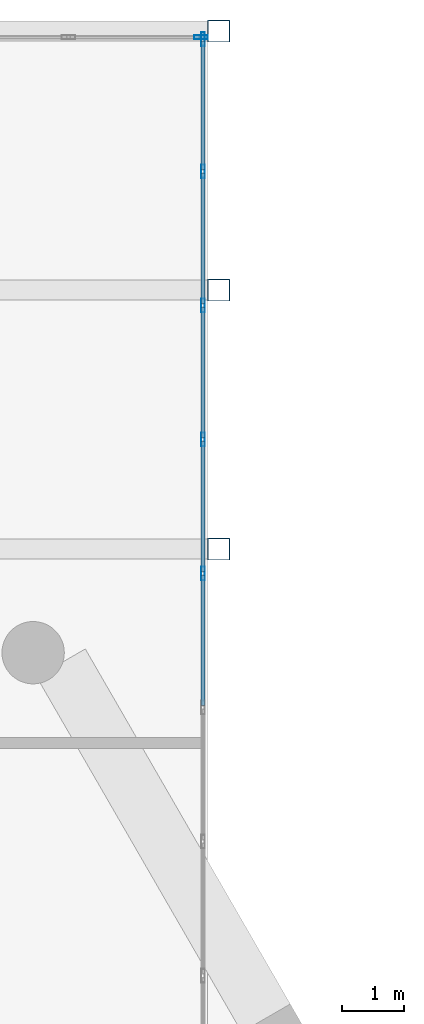
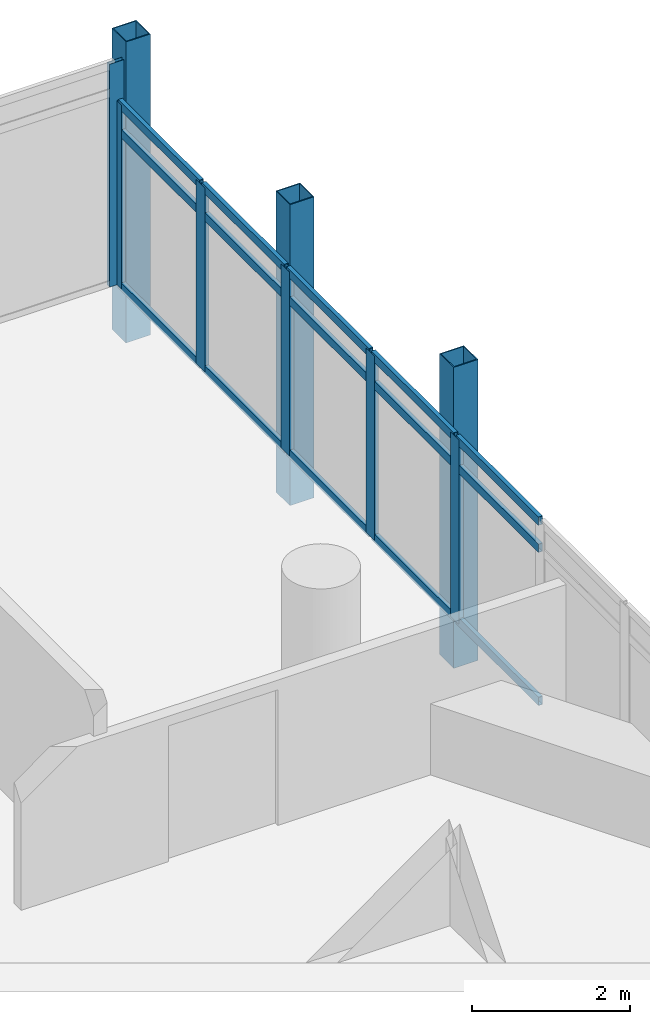
# One storey, part 21 of 29: 24 members, 2 elements without a shape of their own.
"""IFC4 building model written with IfcOpenShell, lengths in metres."""

from ifc_helpers import new_model, si_unit, direction, frame, origin, origin_2d, place, context, subcontext, project, spatial, hollow_rectangle, extrude, material, material_profile, profile_set, type_object, element, aggregate, save


model = new_model("IFC4")

# Units and contexts
model_context = context("Model", 3, precision=1e-05, world=origin(), true_north=direction((0.0, 1.0)))
body_context = subcontext(model_context, "Body", "Model", "MODEL_VIEW")
ifc_project = project(units=[si_unit("LENGTHUNIT", "METRE"), si_unit("AREAUNIT", "SQUARE_METRE"), si_unit("VOLUMEUNIT", "CUBIC_METRE"), si_unit("PLANEANGLEUNIT", "RADIAN"), si_unit("MASSUNIT", "GRAM", prefix="KILO")], contexts=[model_context])

# Site, building, storey
site_placement = place(None, origin())
site = spatial("IfcSite", under=ifc_project, at=site_placement, CompositionType="ELEMENT")
building_placement = place(site_placement, origin())
building = spatial("IfcBuilding", under=site, at=building_placement, Name="Ostrander Bayou Hotel Tower", CompositionType="ELEMENT")
storey_placement = place(building_placement, frame((0.0, 0.0, 205.75)))
storey = spatial("IfcBuildingStorey", under=building, at=storey_placement, Name="L51", CompositionType="ELEMENT", Elevation=205.75)

# Curtain wall, member
ifc_material_1 = material(Name="Aluminium and clear glass", Category="aluminium")
curtain_wall_type = type_object("IfcCurtainWallType", Name="CW-BAR glazed wall", PredefinedType="NOTDEFINED", material=ifc_material_1)
curtain_wall_1_placement = place(storey_placement, origin())
curtain_wall_1 = element("IfcCurtainWall", 1, at=curtain_wall_1_placement, inside=storey, type_object=curtain_wall_type, Name="CW-BAR L51:SB4N:T", PredefinedType="NOTDEFINED")
ifc_material_2 = material(Name="Aluminium", Category="aluminium")
ifc_material_profile_1 = material_profile(ifc_material_2, hollow_rectangle(XDim=0.06005859375, YDim=0.219970703125, WallThickness=0.00390625, at=origin_2d()))
ifc_profile_set_1 = profile_set([ifc_material_profile_1], Name="Aluminium")
member_type_1 = type_object("IfcMemberType", Name="CW-BR mullion 60 x 220 mm", PredefinedType="MULLION", material=ifc_profile_set_1)
member_1_placement = place(storey_placement, frame((11.8271484375, 27.916015625, 0.0), z_axis=(0.0, 0.0, 1.0), x_axis=(0.0, 1.0, 0.0)))
member_1 = element("IfcMember", 2, at=member_1_placement, type_object=member_type_1, Name="CW-BAR mullion 12", PredefinedType="MULLION", context=body_context, shape_type="SweptSolid", body=[
    extrude(hollow_rectangle(XDim=0.06005859375, YDim=0.219970703125, WallThickness=0.00390625, at=origin_2d()), origin(), (0.0, 0.0, 1.0), 3.449951171875),
])
aggregate(curtain_wall_1, [member_1])

# Curtain wall, members
curtain_wall_2_placement = place(storey_placement, origin())
curtain_wall_2 = element("IfcCurtainWall", 3, at=curtain_wall_2_placement, inside=storey, type_object=curtain_wall_type, Name="CW-BAR L51:SB4N:W", PredefinedType="NOTDEFINED")
member_2_placement = place(storey_placement, frame((11.857177734375, 19.3154296875, 0.0), z_axis=(0.0, 0.0, 1.0), x_axis=(-1.0, 0.0, 0.0)))
member_2 = element("IfcMember", 4, at=member_2_placement, type_object=member_type_1, Name="CW-BAR mullion 6", PredefinedType="MULLION", context=body_context, shape_type="SweptSolid", body=[
    extrude(hollow_rectangle(XDim=0.06005859375, YDim=0.219970703125, WallThickness=0.00390625, at=origin_2d()), origin(), (0.0, 0.0, 1.0), 2.85009765625),
])
member_3_placement = place(storey_placement, frame((11.857177734375, 21.465576171875, 0.0), z_axis=(0.0, 0.0, 1.0), x_axis=(-1.0, 0.0, 0.0)))
member_3 = element("IfcMember", 5, at=member_3_placement, type_object=member_type_1, Name="CW-BAR mullion 7", PredefinedType="MULLION", context=body_context, shape_type="SweptSolid", body=[
    extrude(hollow_rectangle(XDim=0.06005859375, YDim=0.219970703125, WallThickness=0.00390625, at=origin_2d()), origin(), (0.0, 0.0, 1.0), 2.85009765625),
])
member_4_placement = place(storey_placement, frame((11.857177734375, 23.61572265625, 0.0), z_axis=(0.0, 0.0, 1.0), x_axis=(-1.0, 0.0, 0.0)))
member_4 = element("IfcMember", 6, at=member_4_placement, type_object=member_type_1, Name="CW-BAR mullion 8", PredefinedType="MULLION", context=body_context, shape_type="SweptSolid", body=[
    extrude(hollow_rectangle(XDim=0.06005859375, YDim=0.219970703125, WallThickness=0.00390625, at=origin_2d()), origin(), (0.0, 0.0, 1.0), 2.85009765625),
])
member_5_placement = place(storey_placement, frame((11.857177734375, 25.765869140625, 0.0), z_axis=(0.0, 0.0, 1.0), x_axis=(-1.0, 0.0, 0.0)))
member_5 = element("IfcMember", 7, at=member_5_placement, type_object=member_type_1, Name="CW-BAR mullion 9", PredefinedType="MULLION", context=body_context, shape_type="SweptSolid", body=[
    extrude(hollow_rectangle(XDim=0.06005859375, YDim=0.219970703125, WallThickness=0.00390625, at=origin_2d()), origin(), (0.0, 0.0, 1.0), 2.85009765625),
])
member_6_placement = place(storey_placement, frame((11.857177734375, 27.885986328125, 0.0), z_axis=(0.0, 0.0, 1.0), x_axis=(-1.0, 0.0, 0.0)))
member_6 = element("IfcMember", 8, at=member_6_placement, type_object=member_type_1, Name="CW-BAR mullion 10", PredefinedType="MULLION", context=body_context, shape_type="SweptSolid", body=[
    extrude(hollow_rectangle(XDim=0.06005859375, YDim=0.219970703125, WallThickness=0.00390625, at=origin_2d()), origin(), (0.0, 0.0, 1.0), 2.85009765625),
])
ifc_material_3 = material(Name="Aluminium", Category="aluminium")
ifc_material_profile_2 = material_profile(ifc_material_3, hollow_rectangle(XDim=0.06005859375, YDim=0.1298828125, WallThickness=0.00390625, at=origin_2d()))
ifc_profile_set_2 = profile_set([ifc_material_profile_2], Name="Aluminium")
member_type_2 = type_object("IfcMemberType", Name="CW-BR transom 60 x 130 mm", PredefinedType="USERDEFINED", material=ifc_profile_set_2)
member_7_placement = place(storey_placement, frame((11.857177734375, 17.195068359375, 0.030029296875), z_axis=(0.0, 1.0, 0.0), x_axis=(-1.0, 0.0, 0.0)))
member_7 = element("IfcMember", 9, at=member_7_placement, type_object=member_type_2, Name="CW-BAR transom 5.1", ObjectType="TRANSOM", PredefinedType="USERDEFINED", context=body_context, shape_type="SweptSolid", body=[
    extrude(hollow_rectangle(XDim=0.06005859375, YDim=0.1298828125, WallThickness=0.00390625, at=origin_2d()), origin(), (0.0, 0.0, 1.0), 2.09033203125),
])
member_8_placement = place(storey_placement, frame((11.857177734375, 17.195068359375, 2.39990234375), z_axis=(0.0, 1.0, 0.0), x_axis=(-1.0, 0.0, 0.0)))
member_8 = element("IfcMember", 10, at=member_8_placement, type_object=member_type_2, Name="CW-BAR transom 5.2", ObjectType="TRANSOM", PredefinedType="USERDEFINED", context=body_context, shape_type="SweptSolid", body=[
    extrude(hollow_rectangle(XDim=0.06005859375, YDim=0.1298828125, WallThickness=0.00390625, at=origin_2d()), origin(), (0.0, 0.0, 1.0), 2.09033203125),
])
member_9_placement = place(storey_placement, frame((11.857177734375, 17.195068359375, 2.820068359375), z_axis=(0.0, 1.0, 0.0), x_axis=(-1.0, 0.0, 0.0)))
member_9 = element("IfcMember", 11, at=member_9_placement, type_object=member_type_2, Name="CW-BAR transom 5.3", ObjectType="TRANSOM", PredefinedType="USERDEFINED", context=body_context, shape_type="SweptSolid", body=[
    extrude(hollow_rectangle(XDim=0.06005859375, YDim=0.1298828125, WallThickness=0.00390625, at=origin_2d()), origin(), (0.0, 0.0, 1.0), 2.09033203125),
])
member_10_placement = place(storey_placement, frame((11.857177734375, 19.345458984375, 0.030029296875), z_axis=(0.0, 1.0, 0.0), x_axis=(-1.0, 0.0, 0.0)))
member_10 = element("IfcMember", 12, at=member_10_placement, type_object=member_type_2, Name="CW-BAR transom 6.1", ObjectType="TRANSOM", PredefinedType="USERDEFINED", context=body_context, shape_type="SweptSolid", body=[
    extrude(hollow_rectangle(XDim=0.06005859375, YDim=0.1298828125, WallThickness=0.00390625, at=origin_2d()), origin(), (0.0, 0.0, 1.0), 2.090087890625),
])
member_11_placement = place(storey_placement, frame((11.857177734375, 19.345458984375, 2.39990234375), z_axis=(0.0, 1.0, 0.0), x_axis=(-1.0, 0.0, 0.0)))
member_11 = element("IfcMember", 13, at=member_11_placement, type_object=member_type_2, Name="CW-BAR transom 6.2", ObjectType="TRANSOM", PredefinedType="USERDEFINED", context=body_context, shape_type="SweptSolid", body=[
    extrude(hollow_rectangle(XDim=0.06005859375, YDim=0.1298828125, WallThickness=0.00390625, at=origin_2d()), origin(), (0.0, 0.0, 1.0), 2.090087890625),
])
member_12_placement = place(storey_placement, frame((11.857177734375, 19.345458984375, 2.820068359375), z_axis=(0.0, 1.0, 0.0), x_axis=(-1.0, 0.0, 0.0)))
member_12 = element("IfcMember", 14, at=member_12_placement, type_object=member_type_2, Name="CW-BAR transom 6.3", ObjectType="TRANSOM", PredefinedType="USERDEFINED", context=body_context, shape_type="SweptSolid", body=[
    extrude(hollow_rectangle(XDim=0.06005859375, YDim=0.1298828125, WallThickness=0.00390625, at=origin_2d()), origin(), (0.0, 0.0, 1.0), 2.090087890625),
])
member_13_placement = place(storey_placement, frame((11.857177734375, 21.49560546875, 0.030029296875), z_axis=(0.0, 1.0, 0.0), x_axis=(-1.0, 0.0, 0.0)))
member_13 = element("IfcMember", 15, at=member_13_placement, type_object=member_type_2, Name="CW-BAR transom 7.1", ObjectType="TRANSOM", PredefinedType="USERDEFINED", context=body_context, shape_type="SweptSolid", body=[
    extrude(hollow_rectangle(XDim=0.06005859375, YDim=0.1298828125, WallThickness=0.00390625, at=origin_2d()), origin(), (0.0, 0.0, 1.0), 2.090087890625),
])
member_14_placement = place(storey_placement, frame((11.857177734375, 21.49560546875, 2.39990234375), z_axis=(0.0, 1.0, 0.0), x_axis=(-1.0, 0.0, 0.0)))
member_14 = element("IfcMember", 16, at=member_14_placement, type_object=member_type_2, Name="CW-BAR transom 7.2", ObjectType="TRANSOM", PredefinedType="USERDEFINED", context=body_context, shape_type="SweptSolid", body=[
    extrude(hollow_rectangle(XDim=0.06005859375, YDim=0.1298828125, WallThickness=0.00390625, at=origin_2d()), origin(), (0.0, 0.0, 1.0), 2.090087890625),
])
member_15_placement = place(storey_placement, frame((11.857177734375, 21.49560546875, 2.820068359375), z_axis=(0.0, 1.0, 0.0), x_axis=(-1.0, 0.0, 0.0)))
member_15 = element("IfcMember", 17, at=member_15_placement, type_object=member_type_2, Name="CW-BAR transom 7.3", ObjectType="TRANSOM", PredefinedType="USERDEFINED", context=body_context, shape_type="SweptSolid", body=[
    extrude(hollow_rectangle(XDim=0.06005859375, YDim=0.1298828125, WallThickness=0.00390625, at=origin_2d()), origin(), (0.0, 0.0, 1.0), 2.090087890625),
])
member_16_placement = place(storey_placement, frame((11.857177734375, 23.645751953125, 0.030029296875), z_axis=(0.0, 1.0, 0.0), x_axis=(-1.0, 0.0, 0.0)))
member_16 = element("IfcMember", 18, at=member_16_placement, type_object=member_type_2, Name="CW-BAR transom 8.1", ObjectType="TRANSOM", PredefinedType="USERDEFINED", context=body_context, shape_type="SweptSolid", body=[
    extrude(hollow_rectangle(XDim=0.06005859375, YDim=0.1298828125, WallThickness=0.00390625, at=origin_2d()), origin(), (0.0, 0.0, 1.0), 2.090087890625),
])
member_17_placement = place(storey_placement, frame((11.857177734375, 23.645751953125, 2.39990234375), z_axis=(0.0, 1.0, 0.0), x_axis=(-1.0, 0.0, 0.0)))
member_17 = element("IfcMember", 19, at=member_17_placement, type_object=member_type_2, Name="CW-BAR transom 8.2", ObjectType="TRANSOM", PredefinedType="USERDEFINED", context=body_context, shape_type="SweptSolid", body=[
    extrude(hollow_rectangle(XDim=0.06005859375, YDim=0.1298828125, WallThickness=0.00390625, at=origin_2d()), origin(), (0.0, 0.0, 1.0), 2.090087890625),
])
member_18_placement = place(storey_placement, frame((11.857177734375, 23.645751953125, 2.820068359375), z_axis=(0.0, 1.0, 0.0), x_axis=(-1.0, 0.0, 0.0)))
member_18 = element("IfcMember", 20, at=member_18_placement, type_object=member_type_2, Name="CW-BAR transom 8.3", ObjectType="TRANSOM", PredefinedType="USERDEFINED", context=body_context, shape_type="SweptSolid", body=[
    extrude(hollow_rectangle(XDim=0.06005859375, YDim=0.1298828125, WallThickness=0.00390625, at=origin_2d()), origin(), (0.0, 0.0, 1.0), 2.090087890625),
])
member_19_placement = place(storey_placement, frame((11.857177734375, 25.7958984375, 0.030029296875), z_axis=(0.0, 1.0, 0.0), x_axis=(-1.0, 0.0, 0.0)))
member_19 = element("IfcMember", 21, at=member_19_placement, type_object=member_type_2, Name="CW-BAR transom 9.1", ObjectType="TRANSOM", PredefinedType="USERDEFINED", context=body_context, shape_type="SweptSolid", body=[
    extrude(hollow_rectangle(XDim=0.06005859375, YDim=0.1298828125, WallThickness=0.00390625, at=origin_2d()), origin(), (0.0, 0.0, 1.0), 2.060302734375),
])
member_20_placement = place(storey_placement, frame((11.857177734375, 25.7958984375, 2.39990234375), z_axis=(0.0, 1.0, 0.0), x_axis=(-1.0, 0.0, 0.0)))
member_20 = element("IfcMember", 22, at=member_20_placement, type_object=member_type_2, Name="CW-BAR transom 9.2", ObjectType="TRANSOM", PredefinedType="USERDEFINED", context=body_context, shape_type="SweptSolid", body=[
    extrude(hollow_rectangle(XDim=0.06005859375, YDim=0.1298828125, WallThickness=0.00390625, at=origin_2d()), origin(), (0.0, 0.0, 1.0), 2.060302734375),
])
member_21_placement = place(storey_placement, frame((11.857177734375, 25.7958984375, 2.820068359375), z_axis=(0.0, 1.0, 0.0), x_axis=(-1.0, 0.0, 0.0)))
member_21 = element("IfcMember", 23, at=member_21_placement, type_object=member_type_2, Name="CW-BAR transom 9.3", ObjectType="TRANSOM", PredefinedType="USERDEFINED", context=body_context, shape_type="SweptSolid", body=[
    extrude(hollow_rectangle(XDim=0.06005859375, YDim=0.1298828125, WallThickness=0.00390625, at=origin_2d()), origin(), (0.0, 0.0, 1.0), 2.060302734375),
])
aggregate(curtain_wall_2, [member_2, member_3, member_4, member_5, member_6, member_7, member_8, member_9, member_10, member_11, member_12, member_13, member_14, member_15, member_16, member_17, member_18, member_19, member_20, member_21])

# Members
ifc_material_4 = material(Name="Steel ASTM A500 Gr C", Category="steel")
ifc_material_profile_3 = material_profile(ifc_material_4, hollow_rectangle(XDim=0.355712890625, YDim=0.355712890625, WallThickness=0.0146484375, at=origin_2d()))
ifc_profile_set_3 = profile_set([ifc_material_profile_3], Name="Steel ASTM A500 Gr C")
member_type_3 = type_object("IfcMemberType", Name="TH1 bar hanger HSS14x14x5/8", PredefinedType="POST", material=ifc_profile_set_3)
for number, where, z_axis, x_axis, name in (
    (24, (12.110107421875, 28.01611328125, -0.9111328125), (0.0, 0.0, 1.0), (1.0, 0.0, 0.0), "TH1 SB4WB H1-4"),
    (25, (12.110107421875, 23.861328125, -0.9111328125), (0.0, 0.0, 1.0), (1.0, 0.0, 0.0), "TH1 SB4WB H2-4"),
    (26, (12.110107421875, 19.706787109375, -0.9111328125), (0.0, 0.0, 1.0), (1.0, 0.0, 0.0), "TH1 SB4WB H3-4"),
):
    element("IfcMember", number, at=place(storey_placement, frame(where, z_axis=z_axis, x_axis=x_axis)), inside=storey, type_object=member_type_3, Name=name, PredefinedType="POST", context=body_context, shape_type="SweptSolid", body=[
        extrude(hollow_rectangle(XDim=0.355712890625, YDim=0.355712890625, WallThickness=0.0146484375, at=origin_2d()), origin(), (0.0, 0.0, 1.0), 4.6611328125),
    ])

save(model, "model.ifc")
